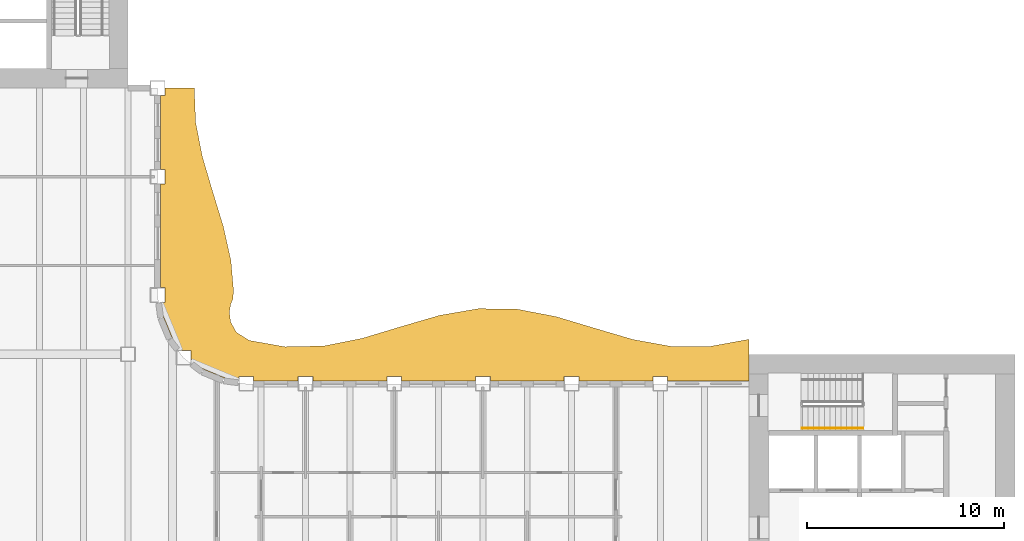
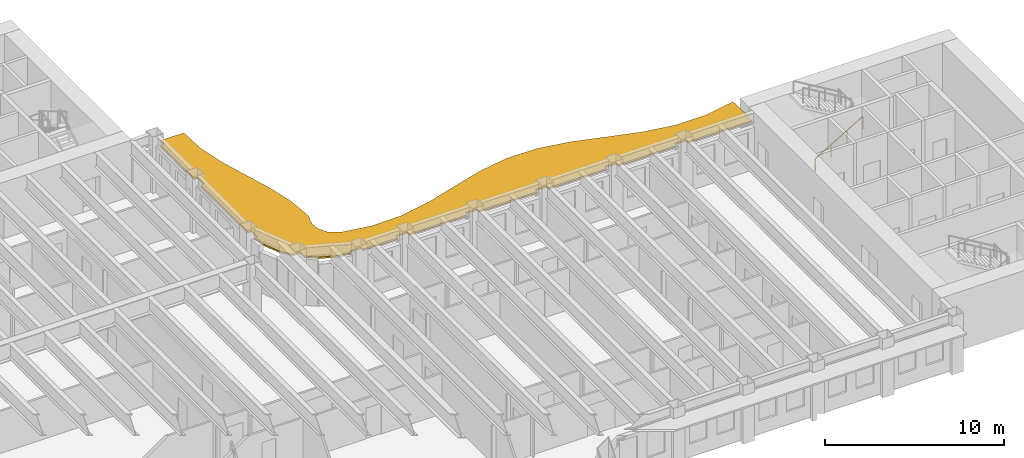
# One storey, part 14 of 16: 1 railing, 1 shading device.
"""IFC4 building model written with IfcOpenShell, lengths in metres."""

from ifc_helpers import new_model, si_unit, direction, frame, origin, origin_2d, place, context, subcontext, project, spatial, polyline, rectangle, outline, extrude, material, layer, layer_set, type_object, element, save


model = new_model("IFC4")

# Units and contexts
model_context = context("Model", 3, precision=1e-05, world=origin(), true_north=direction((0.0, 1.0)))
body_context = subcontext(model_context, "Body", "Model", "MODEL_VIEW")
ifc_project = project(units=[si_unit("LENGTHUNIT", "METRE"), si_unit("AREAUNIT", "SQUARE_METRE"), si_unit("VOLUMEUNIT", "CUBIC_METRE"), si_unit("PLANEANGLEUNIT", "RADIAN"), si_unit("MASSUNIT", "GRAM", prefix="KILO")], contexts=[model_context])

# Site, building, storey
site_placement = place(None, origin())
site = spatial("IfcSite", under=ifc_project, at=site_placement, CompositionType="ELEMENT")
building_placement = place(site_placement, origin())
building = spatial("IfcBuilding", under=site, at=building_placement, Name="Sennacour Bend Tower", CompositionType="ELEMENT")
storey_placement = place(building_placement, frame((0.0, 0.0, 231.0)))
storey = spatial("IfcBuildingStorey", under=building, at=storey_placement, Name="L53", CompositionType="ELEMENT", Elevation=231.0)

# Railing
ifc_material_1 = material(Name="Stainless steel", Category="steel")
railing_type = type_object("IfcRailingType", Name="RL-HANDRAIL-900", PredefinedType="HANDRAIL", material=ifc_material_1)
railing_placement = place(storey_placement, frame((56.699951171875, 18.75, 0.166748046875)))
element("IfcRailing", 1, at=railing_placement, inside=storey, type_object=railing_type, Name="L53 SA2 stair handrail 1", PredefinedType="HANDRAIL", context=body_context, shape_type="SweptSolid", body=[
    extrude(rectangle(XDim=0.048095703125, YDim=0.048095703125, at=origin_2d()), frame((0.0, 0.0, 0.8759765625), z_axis=(0.859308565015, 0.0, 0.511457515432), x_axis=(0.0, 1.0, 0.0)), (0.0, 0.0, 1.0), 3.58447265625),
    extrude(rectangle(XDim=0.0419921875, YDim=0.0419921875, at=origin_2d()), origin(), (0.0, 0.0, 1.0), 0.851806640625),
    extrude(rectangle(XDim=0.0419921875, YDim=0.0419921875, at=origin_2d()), frame((1.026611328125, 0.0, 0.611083984375)), (0.0, 0.0, 1.0), 0.851806640625),
    extrude(rectangle(XDim=0.0419921875, YDim=0.0419921875, at=origin_2d()), frame((2.053466796875, 0.0, 1.22216796875)), (0.0, 0.0, 1.0), 0.851806640625),
    extrude(rectangle(XDim=0.0419921875, YDim=0.0419921875, at=origin_2d()), frame((3.080078125, 0.0, 1.833251953125)), (0.0, 0.0, 1.0), 0.851806640625),
])

# Shading device
ifc_material_2 = material(Name="Bronze anodised aluminium", Category="aluminium")
ifc_layer = layer(ifc_material_2, 0.1201171875, Name="Bronze anodised aluminium", Category="aluminium")
ifc_layer_set = layer_set([ifc_layer], Name="Bronze anodised aluminium")
shading_device_type = type_object("IfcShadingDeviceType", Name="SUNSHADE BAND WAVE", PredefinedType="USERDEFINED", material=ifc_layer_set)
shading_device_placement = place(storey_placement, frame((0.0, 0.0, 3.037109375)))
element("IfcShadingDevice", 2, at=shading_device_placement, inside=storey, type_object=shading_device_type, Name="Sunshade band L53 concave faces", ObjectType="SUNSHADE", PredefinedType="USERDEFINED", context=body_context, shape_type="SweptSolid", body=[
    extrude(outline(polyline([(54.0, 21.14990234375), (49.875, 21.14990234375), (49.875, 21.375), (49.125, 21.375), (49.125, 21.14990234375), (45.375, 21.14990234375), (45.375, 21.375), (44.625, 21.375), (44.625, 21.14990234375), (40.875, 21.14990234375), (40.875, 21.375), (40.125, 21.375), (40.125, 21.14990234375), (36.375, 21.14990234375), (36.375, 21.375), (35.625, 21.375), (35.625, 21.14990234375), (31.875, 21.14990234375), (31.875, 21.375), (31.125, 21.375), (31.125, 21.14990234375), (28.875, 21.14990234375), (28.875, 21.375), (28.125, 21.375), (28.125, 21.20068359375), (27.37451171875, 21.299560546875), (26.32568359375, 21.73388671875), (25.693115234375, 22.21923828125), (25.693115234375, 22.693115234375), (25.21923828125, 22.693115234375), (24.73388671875, 23.32568359375), (24.299560546875, 24.37451171875), (24.20068359375, 25.125), (24.375, 25.125), (24.375, 25.875), (24.14990234375, 25.875), (24.14990234375, 31.125), (24.375, 31.125), (24.375, 31.875), (24.14990234375, 31.875), (24.14990234375, 35.625), (24.375, 35.625), (24.375, 36.0), (25.861572265625, 36.0), (25.930419921875, 34.25), (26.275390625, 32.5), (26.79345703125, 30.75), (27.328369140625, 29.0), (27.719482421875, 27.25), (27.849365234375, 25.752197265625), (27.822998046875, 25.318603515625), (27.710693359375, 25.044189453125), (27.637451171875, 24.637451171875), (27.7080078125, 24.128173828125), (27.994384765625, 23.61279296875), (28.644287109375, 23.202392578125), (30.46142578125, 22.879638671875), (32.423095703125, 22.9208984375), (34.384521484375, 23.310546875), (36.34619140625, 23.902587890625), (38.3076171875, 24.47509765625), (40.269287109375, 24.81298828125), (42.230712890625, 24.78955078125), (44.1923828125, 24.413818359375), (46.15380859375, 23.82666015625), (48.115478515625, 23.248046875), (50.076904296875, 22.8955078125), (52.03857421875, 22.90087890625), (54.0, 23.26220703125), (54.0, 21.14990234375)])), origin(), (0.0, 0.0, 1.0), 0.119873046875),
])

save(model, "model.ifc")
